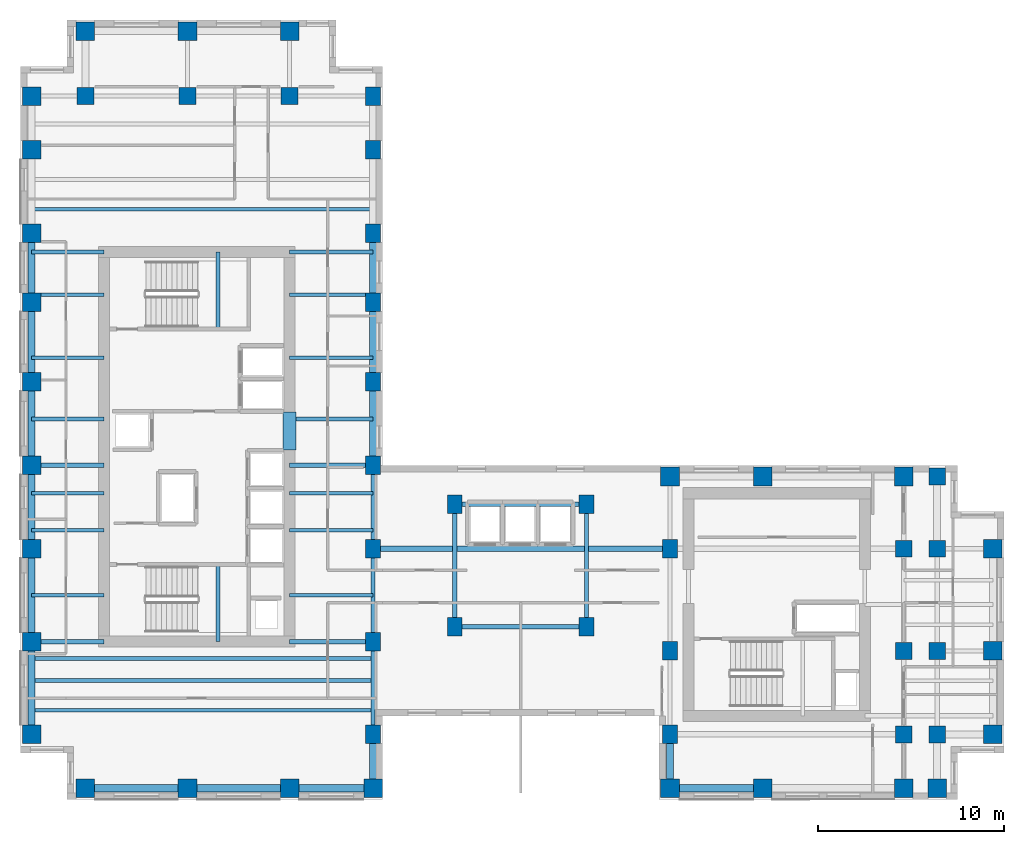
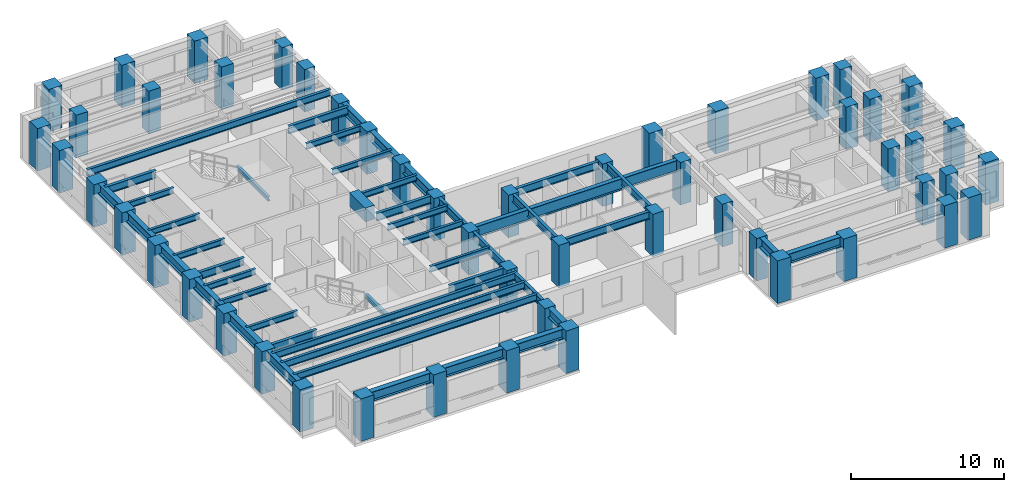
# One storey, part 1 of 12: 52 columns, 48 beams.
"""IFC4 building model written with IfcOpenShell, lengths in metres."""

from ifc_helpers import new_model, si_unit, direction, frame, origin, origin_2d, place, context, subcontext, project, spatial, rectangle, i_section, extrude, source, transform, mapped, material, material_profile, profile_set, type_object, element, save


model = new_model("IFC4")

# Units and contexts
model_context = context("Model", 3, precision=1e-05, world=origin(), true_north=direction((0.0, 1.0)))
body_context = subcontext(model_context, "Body", "Model", "MODEL_VIEW")
ifc_project = project(units=[si_unit("LENGTHUNIT", "METRE"), si_unit("AREAUNIT", "SQUARE_METRE"), si_unit("VOLUMEUNIT", "CUBIC_METRE"), si_unit("PLANEANGLEUNIT", "RADIAN"), si_unit("MASSUNIT", "GRAM", prefix="KILO")], contexts=[model_context])

# Site, building, storey
site_placement = place(None, origin())
site = spatial("IfcSite", under=ifc_project, at=site_placement, CompositionType="ELEMENT")
building_placement = place(site_placement, origin())
building = spatial("IfcBuilding", under=site, at=building_placement, Name="Kharzan Plaza Tower", CompositionType="ELEMENT")
storey_placement = place(building_placement, frame((0.0, 0.0, 146.699951171875)))
storey = spatial("IfcBuildingStorey", under=building, at=storey_placement, Name="L39", CompositionType="ELEMENT", Elevation=146.699951171875)

# Columns
ifc_material_1 = material(Name="Concrete C50/60", Category="concrete")
ifc_material_profile_1 = material_profile(ifc_material_1, rectangle(XDim=0.89990234375, YDim=0.89990234375, at=origin_2d()), Name="RC-IC900x900")
ifc_profile_set_1 = profile_set([ifc_material_profile_1], Name="Concrete C50/60")
column_type_1 = type_object("IfcColumnType", Name="COL-IC900", PredefinedType="COLUMN", material=ifc_profile_set_1)
shared_shape_1 = source(origin(), body_context, "Body", "SweptSolid", [
    extrude(rectangle(XDim=0.89990234375, YDim=0.89990234375, at=origin_2d()), origin(), (0.0, 0.0, 1.0), 3.400146484375),
])
for number, where, z_axis, x_axis, name in (
    (1, (47.60009765625, 13.5, 0.0), (0.0, 0.0, 1.0), (1.0, 0.0, 0.0), "L39 Structural Column TCBI-135"),
    (2, (47.60009765625, 3.5, 0.0), (0.0, 0.0, 1.0), (1.0, 0.0, 0.0), "L39 Structural Column TCBI-35"),
    (3, (47.60009765625, 8.0, 0.0), (0.0, 0.0, 1.0), (1.0, 0.0, 0.0), "L39 Structural Column TCBI-80"),
    (4, (49.39990234375, 13.5, 0.0), (0.0, 0.0, 1.0), (1.0, 0.0, 0.0), "L39 Structural Column TCE-494-135"),
    (5, (49.39990234375, 17.39990234375, 0.0), (0.0, 0.0, 1.0), (1.0, 0.0, 0.0), "L39 Structural Column TCE-494-174"),
    (6, (49.39990234375, 3.5, 0.0), (0.0, 0.0, 1.0), (1.0, 0.0, 0.0), "L39 Structural Column TCE-494-35"),
    (7, (49.39990234375, 8.0, 0.0), (0.0, 0.0, 1.0), (1.0, 0.0, 0.0), "L39 Structural Column TCE-494-80"),
    (8, (14.5, 37.89990234375, 0.0), (0.0, 0.0, 1.0), (1.0, 0.0, 0.0), "L39 Structural Column TCN-145-379"),
    (9, (3.5, 37.89990234375, 0.0), (0.0, 0.0, 1.0), (1.0, 0.0, 0.0), "L39 Structural Column TCN-35-379"),
    (10, (9.0, 37.89990234375, 0.0), (0.0, 0.0, 1.0), (1.0, 0.0, 0.0), "L39 Structural Column TCN-90-379"),
):
    element("IfcColumn", number, at=place(storey_placement, frame(where, z_axis=z_axis, x_axis=x_axis)), inside=storey, type_object=column_type_1, Name=name, PredefinedType="COLUMN", context=body_context, shape_type="MappedRepresentation", body=[
        mapped(shared_shape_1, transform((0.0, 0.0, 0.0), x_axis=(1.0, 0.0, 0.0), y_axis=(0.0, 1.0, 0.0), z_axis=(0.0, 0.0, 1.0))),
    ])
ifc_material_profile_2 = material_profile(ifc_material_1, rectangle(XDim=0.800048828125, YDim=1.0, at=origin_2d()), Name="RC-SC1000x800")
ifc_profile_set_2 = profile_set([ifc_material_profile_2], Name="Concrete C50/60")
column_type_2 = type_object("IfcColumnType", Name="COL-SC1000", PredefinedType="COLUMN", material=ifc_profile_set_2)
shared_shape_2 = source(origin(), body_context, "Body", "SweptSolid", [
    extrude(rectangle(XDim=0.800048828125, YDim=1.0, at=origin_2d()), origin(), (0.0, 0.0, 1.0), 3.400146484375),
])
for number, where, z_axis, x_axis, name in (
    (11, (19.0, 13.5, 0.0), (0.0, 0.0, 1.0), (1.0, 0.0, 0.0), "L39 Structural Column TCA-135"),
    (12, (19.0, 18.0, 0.0), (0.0, 0.0, 1.0), (1.0, 0.0, 0.0), "L39 Structural Column TCA-180"),
    (13, (19.0, 22.5, 0.0), (0.0, 0.0, 1.0), (1.0, 0.0, 0.0), "L39 Structural Column TCA-225"),
    (14, (19.0, 26.800048828125, 0.0), (0.0, 0.0, 1.0), (1.0, 0.0, 0.0), "L39 Structural Column TCA-268"),
    (15, (19.0, 30.5, 0.0), (0.0, 0.0, 1.0), (1.0, 0.0, 0.0), "L39 Structural Column TCA-305"),
    (16, (19.0, 3.5, 0.0), (0.0, 0.0, 1.0), (1.0, 0.0, 0.0), "L39 Structural Column TCA-35"),
    (17, (19.0, 35.0, 0.0), (0.0, 0.0, 1.0), (1.0, 0.0, 0.0), "L39 Structural Column TCA-350"),
    (18, (19.0, 37.89990234375, 0.0), (0.0, 0.0, 1.0), (1.0, 0.0, 0.0), "L39 Structural Column TCA-379"),
    (19, (19.0, 8.5, 0.0), (0.0, 0.0, 1.0), (1.0, 0.0, 0.0), "L39 Structural Column TCA-85"),
    (20, (35.0, 13.5, 0.0), (0.0, 0.0, 1.0), (1.0, 0.0, 0.0), "L39 Structural Column TCBS-135"),
    (21, (35.0, 3.5, 0.0), (0.0, 0.0, 1.0), (1.0, 0.0, 0.0), "L39 Structural Column TCBS-35"),
    (22, (35.0, 8.0, 0.0), (0.0, 0.0, 1.0), (1.0, 0.0, 0.0), "L39 Structural Column TCBS-80"),
    (23, (23.39990234375, 15.89990234375, 0.0), (0.0, 0.0, 1.0), (1.0, 0.0, 0.0), "L39 Structural Column TCSP-234-159"),
    (24, (23.39990234375, 9.300048828125, 0.0), (0.0, 0.0, 1.0), (1.0, 0.0, 0.0), "L39 Structural Column TCSP-234-93"),
    (25, (30.5, 15.89990234375, 0.0), (0.0, 0.0, 1.0), (1.0, 0.0, 0.0), "L39 Structural Column TCSP-305-159"),
    (26, (30.5, 9.300048828125, 0.0), (0.0, 0.0, 1.0), (1.0, 0.0, 0.0), "L39 Structural Column TCSP-305-93"),
):
    element("IfcColumn", number, at=place(storey_placement, frame(where, z_axis=z_axis, x_axis=x_axis)), inside=storey, type_object=column_type_2, Name=name, PredefinedType="COLUMN", context=body_context, shape_type="MappedRepresentation", body=[
        mapped(shared_shape_2, transform((0.0, 0.0, 0.0), x_axis=(1.0, 0.0, 0.0), y_axis=(0.0, 1.0, 0.0), z_axis=(0.0, 0.0, 1.0))),
    ])
ifc_material_profile_3 = material_profile(ifc_material_1, rectangle(XDim=1.0, YDim=1.0, at=origin_2d()), Name="RC-TC1000x1000")
ifc_profile_set_3 = profile_set([ifc_material_profile_3], Name="Concrete C50/60")
column_type_3 = type_object("IfcColumnType", Name="COL-TC1000", PredefinedType="COLUMN", material=ifc_profile_set_3)
shared_shape_3 = source(origin(), body_context, "Body", "SweptSolid", [
    extrude(rectangle(XDim=1.0, YDim=1.0, at=origin_2d()), origin(), (0.0, 0.0, 1.0), 3.400146484375),
])
for number, where, z_axis, x_axis, name in (
    (27, (35.0, 17.39990234375, 0.0), (0.0, 0.0, 1.0), (1.0, 0.0, 0.0), "L39 Structural Column TCBN-350-174"),
    (28, (40.0, 17.39990234375, 0.0), (0.0, 0.0, 1.0), (1.0, 0.0, 0.0), "L39 Structural Column TCBN-400-174"),
    (29, (47.60009765625, 17.39990234375, 0.0), (0.0, 0.0, 1.0), (1.0, 0.0, 0.0), "L39 Structural Column TCBN-476-174"),
    (30, (52.39990234375, 13.5, 0.0), (0.0, 0.0, 1.0), (1.0, 0.0, 0.0), "L39 Structural Column TCE-524-135"),
    (31, (52.39990234375, 3.5, 0.0), (0.0, 0.0, 1.0), (1.0, 0.0, 0.0), "L39 Structural Column TCE-524-35"),
    (32, (52.39990234375, 8.0, 0.0), (0.0, 0.0, 1.0), (1.0, 0.0, 0.0), "L39 Structural Column TCE-524-80"),
    (33, (14.5, 41.39990234375, 0.0), (0.0, 0.0, 1.0), (1.0, 0.0, 0.0), "L39 Structural Column TCN-145-414"),
    (34, (3.5, 41.39990234375, 0.0), (0.0, 0.0, 1.0), (1.0, 0.0, 0.0), "L39 Structural Column TCN-35-414"),
    (35, (9.0, 41.39990234375, 0.0), (0.0, 0.0, 1.0), (1.0, 0.0, 0.0), "L39 Structural Column TCN-90-414"),
    (36, (14.5, 0.60009765625, 0.0), (0.0, 0.0, 1.0), (1.0, 0.0, 0.0), "L39 Structural Column TCS-145"),
    (37, (19.0, 0.60009765625, 0.0), (0.0, 0.0, 1.0), (1.0, 0.0, 0.0), "L39 Structural Column TCS-190"),
    (38, (3.5, 0.60009765625, 0.0), (0.0, 0.0, 1.0), (1.0, 0.0, 0.0), "L39 Structural Column TCS-35"),
    (39, (35.0, 0.60009765625, 0.0), (0.0, 0.0, 1.0), (1.0, 0.0, 0.0), "L39 Structural Column TCS-350"),
    (40, (40.0, 0.60009765625, 0.0), (0.0, 0.0, 1.0), (1.0, 0.0, 0.0), "L39 Structural Column TCS-400"),
    (41, (47.60009765625, 0.60009765625, 0.0), (0.0, 0.0, 1.0), (1.0, 0.0, 0.0), "L39 Structural Column TCS-476"),
    (42, (49.39990234375, 0.60009765625, 0.0), (0.0, 0.0, 1.0), (1.0, 0.0, 0.0), "L39 Structural Column TCS-494"),
    (43, (9.0, 0.60009765625, 0.0), (0.0, 0.0, 1.0), (1.0, 0.0, 0.0), "L39 Structural Column TCS-90"),
    (44, (0.60009765625, 13.5, 0.0), (0.0, 0.0, 1.0), (1.0, 0.0, 0.0), "L39 Structural Column TCW-135"),
    (45, (0.60009765625, 18.0, 0.0), (0.0, 0.0, 1.0), (1.0, 0.0, 0.0), "L39 Structural Column TCW-180"),
    (46, (0.60009765625, 22.5, 0.0), (0.0, 0.0, 1.0), (1.0, 0.0, 0.0), "L39 Structural Column TCW-225"),
    (47, (0.60009765625, 26.800048828125, 0.0), (0.0, 0.0, 1.0), (1.0, 0.0, 0.0), "L39 Structural Column TCW-268"),
    (48, (0.60009765625, 30.5, 0.0), (0.0, 0.0, 1.0), (1.0, 0.0, 0.0), "L39 Structural Column TCW-305"),
    (49, (0.60009765625, 3.5, 0.0), (0.0, 0.0, 1.0), (1.0, 0.0, 0.0), "L39 Structural Column TCW-35"),
    (50, (0.60009765625, 35.0, 0.0), (0.0, 0.0, 1.0), (1.0, 0.0, 0.0), "L39 Structural Column TCW-350"),
    (51, (0.60009765625, 37.89990234375, 0.0), (0.0, 0.0, 1.0), (1.0, 0.0, 0.0), "L39 Structural Column TCW-379"),
    (52, (0.60009765625, 8.5, 0.0), (0.0, 0.0, 1.0), (1.0, 0.0, 0.0), "L39 Structural Column TCW-85"),
):
    element("IfcColumn", number, at=place(storey_placement, frame(where, z_axis=z_axis, x_axis=x_axis)), inside=storey, type_object=column_type_3, Name=name, PredefinedType="COLUMN", context=body_context, shape_type="MappedRepresentation", body=[
        mapped(shared_shape_3, transform((0.0, 0.0, 0.0), x_axis=(1.0, 0.0, 0.0), y_axis=(0.0, 1.0, 0.0), z_axis=(0.0, 0.0, 1.0))),
    ])

# Beams
ifc_material_2 = material(Name="Concrete C60/75", Category="concrete")
ifc_material_profile_4 = material_profile(ifc_material_2, rectangle(XDim=0.699951171875, YDim=1.10009765625, at=origin_2d()), Name="RC-CB1100x700")
ifc_profile_set_4 = profile_set([ifc_material_profile_4], Name="Concrete C60/75")
beam_type_1 = type_object("IfcBeamType", Name="BM-RCCB1100", PredefinedType="LINTEL", material=ifc_profile_set_4)
shared_shape_4 = source(origin(), body_context, "Body", "SweptSolid", [
    extrude(rectangle(XDim=0.699951171875, YDim=1.10009765625, at=origin_2d()), origin(), (0.0, 0.0, 1.0), 2.059814453125),
])
beam_1_placement = place(storey_placement, frame((14.5, 18.820068359375, 2.85009765625), z_axis=(0.0, 1.0, 0.0), x_axis=(-1.0, 0.0, 0.0)))
element("IfcBeam", 53, at=beam_1_placement, inside=storey, type_object=beam_type_1, Name="L39 CORE-A RC coupling beam CB1", PredefinedType="LINTEL", context=body_context, shape_type="MappedRepresentation", body=[
    mapped(shared_shape_4, transform((0.0, 0.0, 0.0), x_axis=(1.0, 0.0, 0.0), y_axis=(0.0, 1.0, 0.0), z_axis=(0.0, 0.0, 1.0))),
])
ifc_material_3 = material(Name="Steel S355", Category="steel")
ifc_material_profile_5 = material_profile(ifc_material_3, i_section(OverallWidth=0.205078125, OverallDepth=0.35400390625, WebThickness=0.009521484375, FlangeThickness=0.016845703125, at=origin_2d()), Name="W360x79")
ifc_profile_set_5 = profile_set([ifc_material_profile_5], Name="Steel S355")
beam_type_2 = type_object("IfcBeamType", Name="BM-LNT360", PredefinedType="LINTEL", material=ifc_profile_set_5)
shared_shape_5 = source(origin(), body_context, "Body", "SweptSolid", [
    extrude(i_section(OverallWidth=0.205078125, OverallDepth=0.35400390625, WebThickness=0.009521484375, FlangeThickness=0.016845703125, at=origin_2d()), origin(), (0.0, 0.0, 1.0), 4.155029296875),
])
for number, where, z_axis, x_axis, name in (
    (54, (10.64990234375, 8.5, 1.423095703125), (0.0, 1.0, 0.0), (-1.0, 0.0, 0.0), "L39 Stair ST-1 Half-Landing Beam"),
    (55, (10.64990234375, 25.344970703125, 1.423095703125), (0.0, 1.0, 0.0), (-1.0, 0.0, 0.0), "L39 Stair ST-2 Half-Landing Beam"),
):
    element("IfcBeam", number, at=place(storey_placement, frame(where, z_axis=z_axis, x_axis=x_axis)), inside=storey, type_object=beam_type_2, Name=name, PredefinedType="LINTEL", context=body_context, shape_type="MappedRepresentation", body=[
        mapped(shared_shape_5, transform((0.0, 0.0, 0.0), x_axis=(1.0, 0.0, 0.0), y_axis=(0.0, 1.0, 0.0), z_axis=(0.0, 0.0, 1.0))),
    ])
ifc_material_profile_6 = material_profile(ifc_material_3, i_section(OverallWidth=0.304931640625, OverallDepth=0.9189453125, WebThickness=0.017333984375, FlangeThickness=0.02783203125, at=origin_2d()), Name="W920x253")
ifc_profile_set_6 = profile_set([ifc_material_profile_6], Name="Steel S355")
beam_type_3 = type_object("IfcBeamType", Name="BM-FG920B", PredefinedType="BEAM", material=ifc_profile_set_6)
shared_shape_6 = source(origin(), body_context, "Body", "SweptSolid", [
    extrude(i_section(OverallWidth=0.304931640625, OverallDepth=0.9189453125, WebThickness=0.017333984375, FlangeThickness=0.02783203125, at=origin_2d()), origin(), (0.0, 0.0, 1.0), 16.0),
])
beam_2_placement = place(storey_placement, frame((19.0, 13.5, 2.9404296875), z_axis=(1.0, 0.0, 0.0), x_axis=(0.0, 1.0, 0.0)))
element("IfcBeam", 56, at=beam_2_placement, inside=storey, type_object=beam_type_3, Name="L39 Primary Floor Girder", PredefinedType="BEAM", context=body_context, shape_type="MappedRepresentation", body=[
    mapped(shared_shape_6, transform((0.0, 0.0, 0.0), x_axis=(1.0, 0.0, 0.0), y_axis=(0.0, 1.0, 0.0), z_axis=(0.0, 0.0, 1.0))),
])
ifc_material_profile_7 = material_profile(ifc_material_3, i_section(OverallWidth=0.2099609375, OverallDepth=0.537109375, WebThickness=0.010986328125, FlangeThickness=0.017333984375, at=origin_2d()), Name="W530x101")
ifc_profile_set_7 = profile_set([ifc_material_profile_7], Name="Steel S355")
beam_type_4 = type_object("IfcBeamType", Name="BM-JST530B", PredefinedType="JOIST", material=ifc_profile_set_7)
shared_shape_7 = source(origin(), body_context, "Body", "SweptSolid", [
    extrude(i_section(OverallWidth=0.2099609375, OverallDepth=0.537109375, WebThickness=0.010986328125, FlangeThickness=0.017333984375, at=origin_2d()), origin(), (0.0, 0.0, 1.0), 18.39990234375),
])
for number, where, z_axis, x_axis, name in (
    (57, (0.60009765625, 4.800048828125, 3.131591796875), (1.0, 0.0, 0.0), (0.0, 1.0, 0.0), "L39 Wing A Composite Joist 01"),
    (58, (0.60009765625, 6.39990234375, 3.131591796875), (1.0, 0.0, 0.0), (0.0, 1.0, 0.0), "L39 Wing A Composite Joist 02"),
    (59, (0.60009765625, 7.60009765625, 3.131591796875), (1.0, 0.0, 0.0), (0.0, 1.0, 0.0), "L39 Wing A Composite Joist 03"),
    (60, (0.60009765625, 31.800048828125, 3.131591796875), (1.0, 0.0, 0.0), (0.0, 1.0, 0.0), "L39 Wing A Composite Joist 04"),
):
    element("IfcBeam", number, at=place(storey_placement, frame(where, z_axis=z_axis, x_axis=x_axis)), inside=storey, type_object=beam_type_4, Name=name, PredefinedType="JOIST", context=body_context, shape_type="MappedRepresentation", body=[
        mapped(shared_shape_7, transform((0.0, 0.0, 0.0), x_axis=(1.0, 0.0, 0.0), y_axis=(0.0, 1.0, 0.0), z_axis=(0.0, 0.0, 1.0))),
    ])
ifc_material_profile_8 = material_profile(ifc_material_3, i_section(OverallWidth=0.194091796875, OverallDepth=0.468994140625, WebThickness=0.011474609375, FlangeThickness=0.0205078125, at=origin_2d()), Name="W460x106")
ifc_profile_set_8 = profile_set([ifc_material_profile_8], Name="Steel S355")
beam_type_5 = type_object("IfcBeamType", Name="BM-JST460", PredefinedType="JOIST", material=ifc_profile_set_8)
shared_shape_8 = source(origin(), body_context, "Body", "SweptSolid", [
    extrude(i_section(OverallWidth=0.194091796875, OverallDepth=0.468994140625, WebThickness=0.011474609375, FlangeThickness=0.0205078125, at=origin_2d()), origin(), (0.0, 0.0, 1.0), 4.5),
])
for number, where, z_axis, x_axis, name in (
    (61, (14.5, 11.0, 3.16552734375), (1.0, 0.0, 0.0), (0.0, 1.0, 0.0), "L39 Wing A East Infill Joist 1"),
    (62, (14.5, 14.5, 3.16552734375), (1.0, 0.0, 0.0), (0.0, 1.0, 0.0), "L39 Wing A East Infill Joist 2"),
    (63, (14.5, 16.5, 3.16552734375), (1.0, 0.0, 0.0), (0.0, 1.0, 0.0), "L39 Wing A East Infill Joist 3"),
    (64, (14.5, 20.5, 3.16552734375), (1.0, 0.0, 0.0), (0.0, 1.0, 0.0), "L39 Wing A East Infill Joist 4"),
    (65, (14.5, 23.800048828125, 3.16552734375), (1.0, 0.0, 0.0), (0.0, 1.0, 0.0), "L39 Wing A East Infill Joist 5"),
    (66, (14.5, 27.199951171875, 3.16552734375), (1.0, 0.0, 0.0), (0.0, 1.0, 0.0), "L39 Wing A East Infill Joist 6"),
):
    element("IfcBeam", number, at=place(storey_placement, frame(where, z_axis=z_axis, x_axis=x_axis)), inside=storey, type_object=beam_type_5, Name=name, PredefinedType="JOIST", context=body_context, shape_type="MappedRepresentation", body=[
        mapped(shared_shape_8, transform((0.0, 0.0, 0.0), x_axis=(1.0, 0.0, 0.0), y_axis=(0.0, 1.0, 0.0), z_axis=(0.0, 0.0, 1.0))),
    ])
shared_shape_9 = source(origin(), body_context, "Body", "SweptSolid", [
    extrude(i_section(OverallWidth=0.194091796875, OverallDepth=0.468994140625, WebThickness=0.011474609375, FlangeThickness=0.0205078125, at=origin_2d()), origin(), (0.0, 0.0, 1.0), 3.89990234375),
])
for number, where, z_axis, x_axis, name in (
    (67, (0.60009765625, 11.0, 3.16552734375), (1.0, 0.0, 0.0), (0.0, 1.0, 0.0), "L39 Wing A West Infill Joist 1"),
    (68, (0.60009765625, 14.5, 3.16552734375), (1.0, 0.0, 0.0), (0.0, 1.0, 0.0), "L39 Wing A West Infill Joist 2"),
    (69, (0.60009765625, 16.5, 3.16552734375), (1.0, 0.0, 0.0), (0.0, 1.0, 0.0), "L39 Wing A West Infill Joist 3"),
    (70, (0.60009765625, 20.5, 3.16552734375), (1.0, 0.0, 0.0), (0.0, 1.0, 0.0), "L39 Wing A West Infill Joist 4"),
    (71, (0.60009765625, 23.800048828125, 3.16552734375), (1.0, 0.0, 0.0), (0.0, 1.0, 0.0), "L39 Wing A West Infill Joist 5"),
    (72, (0.60009765625, 27.199951171875, 3.16552734375), (1.0, 0.0, 0.0), (0.0, 1.0, 0.0), "L39 Wing A West Infill Joist 6"),
):
    element("IfcBeam", number, at=place(storey_placement, frame(where, z_axis=z_axis, x_axis=x_axis)), inside=storey, type_object=beam_type_5, Name=name, PredefinedType="JOIST", context=body_context, shape_type="MappedRepresentation", body=[
        mapped(shared_shape_9, transform((0.0, 0.0, 0.0), x_axis=(1.0, 0.0, 0.0), y_axis=(0.0, 1.0, 0.0), z_axis=(0.0, 0.0, 1.0))),
    ])
ifc_material_profile_9 = material_profile(ifc_material_3, i_section(OverallWidth=0.22900390625, OverallDepth=0.612060546875, WebThickness=0.011962890625, FlangeThickness=0.01953125, at=origin_2d()), Name="W610x125")
ifc_profile_set_9 = profile_set([ifc_material_profile_9], Name="Steel S355")
beam_type_6 = type_object("IfcBeamType", Name="BM-FG610B", PredefinedType="BEAM", material=ifc_profile_set_9)
shared_shape_10 = source(origin(), body_context, "Body", "SweptSolid", [
    extrude(i_section(OverallWidth=0.22900390625, OverallDepth=0.612060546875, WebThickness=0.011962890625, FlangeThickness=0.01953125, at=origin_2d()), origin(), (0.0, 0.0, 1.0), 4.5),
])
for number, where, z_axis, x_axis, name in (
    (73, (14.5, 8.5, 3.093994140625), (1.0, 0.0, 0.0), (0.0, 1.0, 0.0), "L39 Core-A East Floor Girder 1"),
    (74, (14.5, 18.0, 3.093994140625), (1.0, 0.0, 0.0), (0.0, 1.0, 0.0), "L39 Core-A East Floor Girder 2"),
    (75, (14.5, 29.5, 3.093994140625), (1.0, 0.0, 0.0), (0.0, 1.0, 0.0), "L39 Core-A East Floor Girder 3"),
    (76, (19.0, 13.5, 3.093994140625), (0.0, 1.0, 0.0), (-1.0, 0.0, 0.0), "L39 Interior Frame Girder"),
):
    element("IfcBeam", number, at=place(storey_placement, frame(where, z_axis=z_axis, x_axis=x_axis)), inside=storey, type_object=beam_type_6, Name=name, PredefinedType="BEAM", context=body_context, shape_type="MappedRepresentation", body=[
        mapped(shared_shape_10, transform((0.0, 0.0, 0.0), x_axis=(1.0, 0.0, 0.0), y_axis=(0.0, 1.0, 0.0), z_axis=(0.0, 0.0, 1.0))),
    ])
shared_shape_11 = source(origin(), body_context, "Body", "SweptSolid", [
    extrude(i_section(OverallWidth=0.22900390625, OverallDepth=0.612060546875, WebThickness=0.011962890625, FlangeThickness=0.01953125, at=origin_2d()), origin(), (0.0, 0.0, 1.0), 3.89990234375),
])
for number, where, z_axis, x_axis, name in (
    (77, (0.60009765625, 8.5, 3.093994140625), (1.0, 0.0, 0.0), (0.0, 1.0, 0.0), "L39 Core-A West Floor Girder 1"),
    (78, (0.60009765625, 18.0, 3.093994140625), (1.0, 0.0, 0.0), (0.0, 1.0, 0.0), "L39 Core-A West Floor Girder 2"),
    (79, (0.60009765625, 29.5, 3.093994140625), (1.0, 0.0, 0.0), (0.0, 1.0, 0.0), "L39 Core-A West Floor Girder 3"),
):
    element("IfcBeam", number, at=place(storey_placement, frame(where, z_axis=z_axis, x_axis=x_axis)), inside=storey, type_object=beam_type_6, Name=name, PredefinedType="BEAM", context=body_context, shape_type="MappedRepresentation", body=[
        mapped(shared_shape_11, transform((0.0, 0.0, 0.0), x_axis=(1.0, 0.0, 0.0), y_axis=(0.0, 1.0, 0.0), z_axis=(0.0, 0.0, 1.0))),
    ])
shared_shape_12 = source(origin(), body_context, "Body", "SweptSolid", [
    extrude(i_section(OverallWidth=0.22900390625, OverallDepth=0.612060546875, WebThickness=0.011962890625, FlangeThickness=0.01953125, at=origin_2d()), origin(), (0.0, 0.0, 1.0), 5.0),
])
for number, where, z_axis, x_axis, name in (
    (80, (19.0, 3.5, 3.093994140625), (0.0, 1.0, 0.0), (-1.0, 0.0, 0.0), "L39 Interior Frame Girder"),
    (81, (19.0, 8.5, 3.093994140625), (0.0, 1.0, 0.0), (-1.0, 0.0, 0.0), "L39 Interior Frame Girder"),
):
    element("IfcBeam", number, at=place(storey_placement, frame(where, z_axis=z_axis, x_axis=x_axis)), inside=storey, type_object=beam_type_6, Name=name, PredefinedType="BEAM", context=body_context, shape_type="MappedRepresentation", body=[
        mapped(shared_shape_12, transform((0.0, 0.0, 0.0), x_axis=(1.0, 0.0, 0.0), y_axis=(0.0, 1.0, 0.0), z_axis=(0.0, 0.0, 1.0))),
    ])
shared_shape_13 = source(origin(), body_context, "Body", "SweptSolid", [
    extrude(i_section(OverallWidth=0.22900390625, OverallDepth=0.612060546875, WebThickness=0.011962890625, FlangeThickness=0.01953125, at=origin_2d()), origin(), (0.0, 0.0, 1.0), 6.599853515625),
])
for number, where, z_axis, x_axis, name in (
    (82, (23.39990234375, 9.300048828125, 3.093994140625), (0.0, 1.0, 0.0), (-1.0, 0.0, 0.0), "L39 Interior Frame Girder"),
    (83, (30.5, 9.300048828125, 3.093994140625), (0.0, 1.0, 0.0), (-1.0, 0.0, 0.0), "L39 Interior Frame Girder"),
):
    element("IfcBeam", number, at=place(storey_placement, frame(where, z_axis=z_axis, x_axis=x_axis)), inside=storey, type_object=beam_type_6, Name=name, PredefinedType="BEAM", context=body_context, shape_type="MappedRepresentation", body=[
        mapped(shared_shape_13, transform((0.0, 0.0, 0.0), x_axis=(1.0, 0.0, 0.0), y_axis=(0.0, 1.0, 0.0), z_axis=(0.0, 0.0, 1.0))),
    ])
shared_shape_14 = source(origin(), body_context, "Body", "SweptSolid", [
    extrude(i_section(OverallWidth=0.22900390625, OverallDepth=0.612060546875, WebThickness=0.011962890625, FlangeThickness=0.01953125, at=origin_2d()), origin(), (0.0, 0.0, 1.0), 7.10009765625),
])
for number, where, z_axis, x_axis, name in (
    (84, (23.39990234375, 9.300048828125, 3.093994140625), (1.0, 0.0, 0.0), (0.0, 1.0, 0.0), "L39 Primary Floor Girder"),
    (85, (23.39990234375, 15.89990234375, 3.093994140625), (1.0, 0.0, 0.0), (0.0, 1.0, 0.0), "L39 Primary Floor Girder"),
):
    element("IfcBeam", number, at=place(storey_placement, frame(where, z_axis=z_axis, x_axis=x_axis)), inside=storey, type_object=beam_type_6, Name=name, PredefinedType="BEAM", context=body_context, shape_type="MappedRepresentation", body=[
        mapped(shared_shape_14, transform((0.0, 0.0, 0.0), x_axis=(1.0, 0.0, 0.0), y_axis=(0.0, 1.0, 0.0), z_axis=(0.0, 0.0, 1.0))),
    ])
ifc_material_profile_10 = material_profile(ifc_material_3, i_section(OverallWidth=0.381103515625, OverallDepth=0.77294921875, WebThickness=0.0166015625, FlangeThickness=0.027587890625, at=origin_2d()), Name="W760x257")
ifc_profile_set_10 = profile_set([ifc_material_profile_10], Name="Steel S355")
beam_type_7 = type_object("IfcBeamType", Name="BM-SP760A", PredefinedType="SPANDREL", material=ifc_profile_set_10)
shared_shape_15 = source(origin(), body_context, "Body", "SweptSolid", [
    extrude(i_section(OverallWidth=0.381103515625, OverallDepth=0.77294921875, WebThickness=0.0166015625, FlangeThickness=0.027587890625, at=origin_2d()), origin(), (0.0, 0.0, 1.0), 5.0),
])
for number, where, z_axis, x_axis, name in (
    (86, (0.60009765625, 3.5, 3.013427734375), (0.0, 1.0, 0.0), (-1.0, 0.0, 0.0), "L39 Perimeter Tube Spandrel"),
    (87, (0.60009765625, 8.5, 3.013427734375), (0.0, 1.0, 0.0), (-1.0, 0.0, 0.0), "L39 Perimeter Tube Spandrel"),
    (88, (35.0, 0.60009765625, 3.013427734375), (1.0, 0.0, 0.0), (0.0, 1.0, 0.0), "L39 Perimeter Tube Spandrel"),
):
    element("IfcBeam", number, at=place(storey_placement, frame(where, z_axis=z_axis, x_axis=x_axis)), inside=storey, type_object=beam_type_7, Name=name, PredefinedType="SPANDREL", context=body_context, shape_type="MappedRepresentation", body=[
        mapped(shared_shape_15, transform((0.0, 0.0, 0.0), x_axis=(1.0, 0.0, 0.0), y_axis=(0.0, 1.0, 0.0), z_axis=(0.0, 0.0, 1.0))),
    ])
shared_shape_16 = source(origin(), body_context, "Body", "SweptSolid", [
    extrude(i_section(OverallWidth=0.381103515625, OverallDepth=0.77294921875, WebThickness=0.0166015625, FlangeThickness=0.027587890625, at=origin_2d()), origin(), (0.0, 0.0, 1.0), 4.5),
])
for number, where, z_axis, x_axis, name in (
    (89, (0.60009765625, 13.5, 3.013427734375), (0.0, 1.0, 0.0), (-1.0, 0.0, 0.0), "L39 Perimeter Tube Spandrel"),
    (90, (0.60009765625, 18.0, 3.013427734375), (0.0, 1.0, 0.0), (-1.0, 0.0, 0.0), "L39 Perimeter Tube Spandrel"),
    (91, (19.0, 18.0, 3.013427734375), (0.0, 1.0, 0.0), (-1.0, 0.0, 0.0), "L39 Perimeter Tube Spandrel"),
    (92, (14.5, 0.60009765625, 3.013427734375), (1.0, 0.0, 0.0), (0.0, 1.0, 0.0), "L39 Perimeter Tube Spandrel"),
):
    element("IfcBeam", number, at=place(storey_placement, frame(where, z_axis=z_axis, x_axis=x_axis)), inside=storey, type_object=beam_type_7, Name=name, PredefinedType="SPANDREL", context=body_context, shape_type="MappedRepresentation", body=[
        mapped(shared_shape_16, transform((0.0, 0.0, 0.0), x_axis=(1.0, 0.0, 0.0), y_axis=(0.0, 1.0, 0.0), z_axis=(0.0, 0.0, 1.0))),
    ])
shared_shape_17 = source(origin(), body_context, "Body", "SweptSolid", [
    extrude(i_section(OverallWidth=0.381103515625, OverallDepth=0.77294921875, WebThickness=0.0166015625, FlangeThickness=0.027587890625, at=origin_2d()), origin(), (0.0, 0.0, 1.0), 4.300048828125),
])
for number, where, z_axis, x_axis, name in (
    (93, (0.60009765625, 22.5, 3.013427734375), (0.0, 1.0, 0.0), (-1.0, 0.0, 0.0), "L39 Perimeter Tube Spandrel"),
    (94, (19.0, 22.5, 3.013427734375), (0.0, 1.0, 0.0), (-1.0, 0.0, 0.0), "L39 Perimeter Tube Spandrel"),
):
    element("IfcBeam", number, at=place(storey_placement, frame(where, z_axis=z_axis, x_axis=x_axis)), inside=storey, type_object=beam_type_7, Name=name, PredefinedType="SPANDREL", context=body_context, shape_type="MappedRepresentation", body=[
        mapped(shared_shape_17, transform((0.0, 0.0, 0.0), x_axis=(1.0, 0.0, 0.0), y_axis=(0.0, 1.0, 0.0), z_axis=(0.0, 0.0, 1.0))),
    ])
shared_shape_18 = source(origin(), body_context, "Body", "SweptSolid", [
    extrude(i_section(OverallWidth=0.381103515625, OverallDepth=0.77294921875, WebThickness=0.0166015625, FlangeThickness=0.027587890625, at=origin_2d()), origin(), (0.0, 0.0, 1.0), 3.699951171875),
])
for number, where, z_axis, x_axis, name in (
    (95, (0.60009765625, 26.800048828125, 3.013427734375), (0.0, 1.0, 0.0), (-1.0, 0.0, 0.0), "L39 Perimeter Tube Spandrel"),
    (96, (19.0, 26.800048828125, 3.013427734375), (0.0, 1.0, 0.0), (-1.0, 0.0, 0.0), "L39 Perimeter Tube Spandrel"),
):
    element("IfcBeam", number, at=place(storey_placement, frame(where, z_axis=z_axis, x_axis=x_axis)), inside=storey, type_object=beam_type_7, Name=name, PredefinedType="SPANDREL", context=body_context, shape_type="MappedRepresentation", body=[
        mapped(shared_shape_18, transform((0.0, 0.0, 0.0), x_axis=(1.0, 0.0, 0.0), y_axis=(0.0, 1.0, 0.0), z_axis=(0.0, 0.0, 1.0))),
    ])
shared_shape_19 = source(origin(), body_context, "Body", "SweptSolid", [
    extrude(i_section(OverallWidth=0.381103515625, OverallDepth=0.77294921875, WebThickness=0.0166015625, FlangeThickness=0.027587890625, at=origin_2d()), origin(), (0.0, 0.0, 1.0), 2.89990234375),
])
for number, where, z_axis, x_axis, name in (
    (97, (19.0, 0.60009765625, 3.013427734375), (0.0, 1.0, 0.0), (-1.0, 0.0, 0.0), "L39 Perimeter Tube Spandrel"),
    (98, (35.0, 0.60009765625, 3.013427734375), (0.0, 1.0, 0.0), (-1.0, 0.0, 0.0), "L39 Perimeter Tube Spandrel"),
):
    element("IfcBeam", number, at=place(storey_placement, frame(where, z_axis=z_axis, x_axis=x_axis)), inside=storey, type_object=beam_type_7, Name=name, PredefinedType="SPANDREL", context=body_context, shape_type="MappedRepresentation", body=[
        mapped(shared_shape_19, transform((0.0, 0.0, 0.0), x_axis=(1.0, 0.0, 0.0), y_axis=(0.0, 1.0, 0.0), z_axis=(0.0, 0.0, 1.0))),
    ])
shared_shape_20 = source(origin(), body_context, "Body", "SweptSolid", [
    extrude(i_section(OverallWidth=0.381103515625, OverallDepth=0.77294921875, WebThickness=0.0166015625, FlangeThickness=0.027587890625, at=origin_2d()), origin(), (0.0, 0.0, 1.0), 5.5),
])
for number, where, z_axis, x_axis, name in (
    (99, (3.5, 0.60009765625, 3.013427734375), (1.0, 0.0, 0.0), (0.0, 1.0, 0.0), "L39 Perimeter Tube Spandrel"),
    (100, (9.0, 0.60009765625, 3.013427734375), (1.0, 0.0, 0.0), (0.0, 1.0, 0.0), "L39 Perimeter Tube Spandrel"),
):
    element("IfcBeam", number, at=place(storey_placement, frame(where, z_axis=z_axis, x_axis=x_axis)), inside=storey, type_object=beam_type_7, Name=name, PredefinedType="SPANDREL", context=body_context, shape_type="MappedRepresentation", body=[
        mapped(shared_shape_20, transform((0.0, 0.0, 0.0), x_axis=(1.0, 0.0, 0.0), y_axis=(0.0, 1.0, 0.0), z_axis=(0.0, 0.0, 1.0))),
    ])

save(model, "model.ifc")
